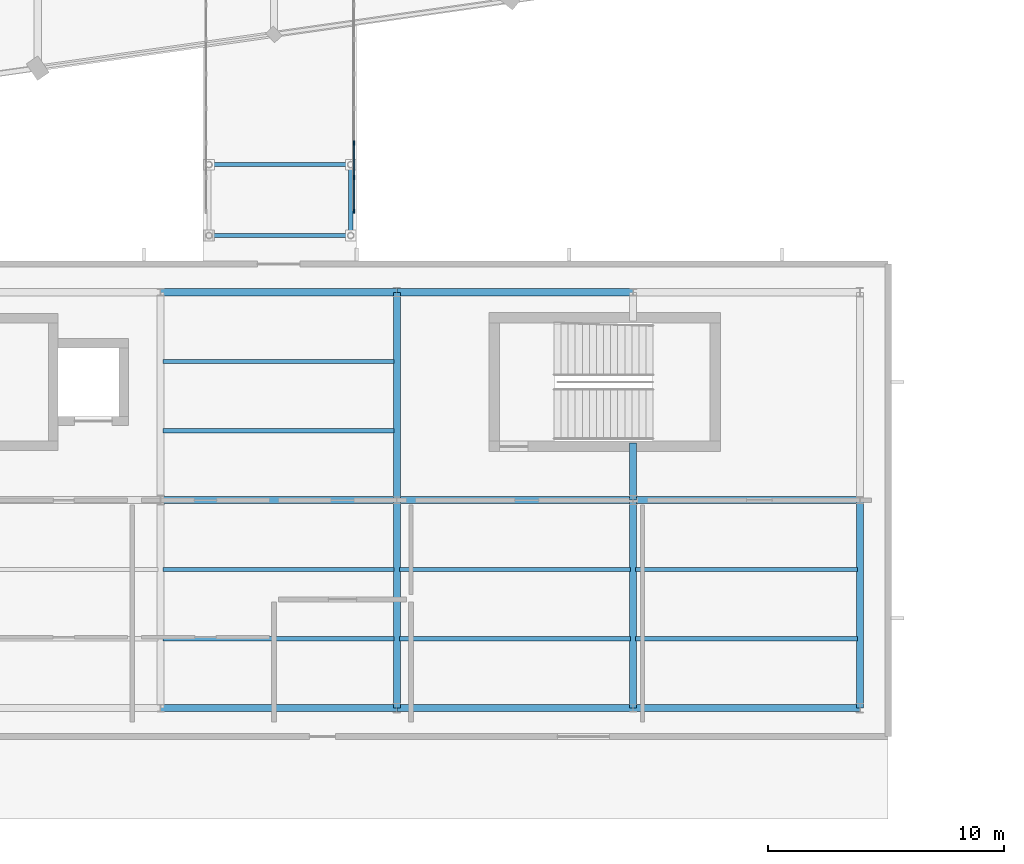
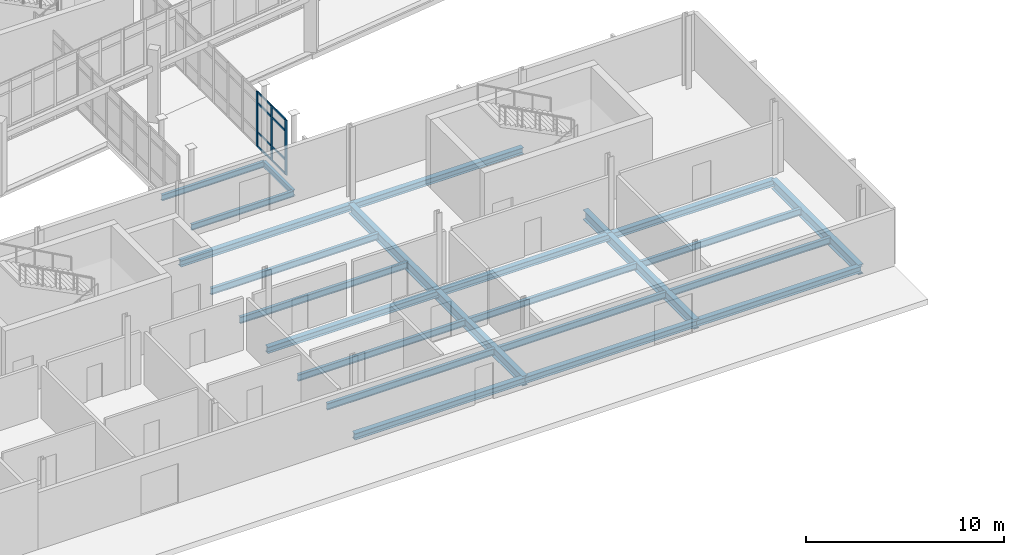
# One storey, part 62 of 122: 24 beams, 11 members, 1 element without a shape of its own.
"""IFC4 building model written with IfcOpenShell, lengths in metres."""

from ifc_helpers import new_model, si_unit, direction, frame, origin, origin_2d, place, context, subcontext, project, spatial, rectangle, i_section, extrude, material, layer, layer_set, material_profile, profile_set, type_object, element, aggregate, save


model = new_model("IFC4")

# Units and contexts
model_context = context("Model", 3, precision=1e-05, world=origin(), true_north=direction((0.0, 1.0)))
body_context = subcontext(model_context, "Body", "Model", "MODEL_VIEW")
ifc_project = project(units=[si_unit("LENGTHUNIT", "METRE"), si_unit("AREAUNIT", "SQUARE_METRE"), si_unit("VOLUMEUNIT", "CUBIC_METRE"), si_unit("PLANEANGLEUNIT", "RADIAN"), si_unit("MASSUNIT", "GRAM", prefix="KILO")], contexts=[model_context])

# Site, building, storey
site_placement = place(None, origin())
site = spatial("IfcSite", under=ifc_project, at=site_placement, CompositionType="ELEMENT")
building_placement = place(site_placement, origin())
building = spatial("IfcBuilding", under=site, at=building_placement, Name="Sohan Crest Arena", CompositionType="ELEMENT")
storey_placement = place(building_placement, origin())
storey = spatial("IfcBuildingStorey", under=building, at=storey_placement, Name="L00", CompositionType="ELEMENT", Elevation=0.0)

# Curtain wall, members
ifc_material_1 = material(Name="Thermally broken anodised aluminium", Category="aluminium")
ifc_layer = layer(ifc_material_1, 0.18994140625, Name="Thermally broken anodised aluminium")
ifc_layer_set = layer_set([ifc_layer], Name="Thermally broken anodised aluminium")
curtain_wall_type = type_object("IfcCurtainWallType", Name="ARC-CW05", PredefinedType="NOTDEFINED", material=ifc_layer_set)
curtain_wall_placement = place(storey_placement, origin())
curtain_wall = element("IfcCurtainWall", 1, at=curtain_wall_placement, inside=storey, type_object=curtain_wall_type, Name="Unitised curtain wall CW-254", PredefinedType="NOTDEFINED")
ifc_material_profile_1 = material_profile(ifc_material_1, rectangle(XDim=0.06494140625, YDim=0.179931640625, at=origin_2d()), Name="ALU-MULL 65x180")
ifc_profile_set_1 = profile_set([ifc_material_profile_1], Name="Thermally broken anodised aluminium")
member_type_1 = type_object("IfcMemberType", Name="ARC-CW-ML02", PredefinedType="MULLION", material=ifc_profile_set_1)
member_1_placement = place(storey_placement, frame((141.3798828125, 28.232421875, 0.0), z_axis=(0.0, 0.0, 1.0), x_axis=(-1.0, 0.0, 0.0)))
member_1 = element("IfcMember", 2, at=member_1_placement, type_object=member_type_1, Name="CW-254 mullion 1", PredefinedType="MULLION", context=body_context, shape_type="SweptSolid", body=[
    extrude(rectangle(XDim=0.06494140625, YDim=0.179931640625, at=origin_2d()), origin(), (0.0, 0.0, 1.0), 3.39990234375),
])
member_2_placement = place(storey_placement, frame((141.3798828125, 29.659912109375, 0.0), z_axis=(0.0, 0.0, 1.0), x_axis=(-1.0, 0.0, 0.0)))
member_2 = element("IfcMember", 3, at=member_2_placement, type_object=member_type_1, Name="CW-254 mullion 2", PredefinedType="MULLION", context=body_context, shape_type="SweptSolid", body=[
    extrude(rectangle(XDim=0.06494140625, YDim=0.179931640625, at=origin_2d()), origin(), (0.0, 0.0, 1.0), 3.39990234375),
])
member_3_placement = place(storey_placement, frame((141.3798828125, 31.1201171875, 0.0), z_axis=(0.0, 0.0, 1.0), x_axis=(-1.0, 0.0, 0.0)))
member_3 = element("IfcMember", 4, at=member_3_placement, type_object=member_type_1, Name="CW-254 mullion 3", PredefinedType="MULLION", context=body_context, shape_type="SweptSolid", body=[
    extrude(rectangle(XDim=0.06494140625, YDim=0.179931640625, at=origin_2d()), origin(), (0.0, 0.0, 1.0), 3.39990234375),
])
ifc_material_profile_2 = material_profile(ifc_material_1, rectangle(XDim=0.06005859375, YDim=0.1201171875, at=origin_2d()), Name="ALU-TRAN 60x120")
ifc_profile_set_2 = profile_set([ifc_material_profile_2], Name="Thermally broken anodised aluminium")
member_type_2 = type_object("IfcMemberType", Name="ARC-CW-TR01", PredefinedType="USERDEFINED", material=ifc_profile_set_2)
member_4_placement = place(storey_placement, frame((141.3798828125, 28.264892578125, 0.030029296875), z_axis=(0.0, 1.0, 0.0), x_axis=(-1.0, 0.0, 0.0)))
member_4 = element("IfcMember", 5, at=member_4_placement, type_object=member_type_2, Name="CW-254 transom 1.1", ObjectType="TRANSOM", PredefinedType="USERDEFINED", context=body_context, shape_type="SweptSolid", body=[
    extrude(rectangle(XDim=0.06005859375, YDim=0.1201171875, at=origin_2d()), origin(), (0.0, 0.0, 1.0), 1.362548828125),
])
member_5_placement = place(storey_placement, frame((141.3798828125, 28.264892578125, 0.89990234375), z_axis=(0.0, 1.0, 0.0), x_axis=(-1.0, 0.0, 0.0)))
member_5 = element("IfcMember", 6, at=member_5_placement, type_object=member_type_2, Name="CW-254 transom 1.2", ObjectType="TRANSOM", PredefinedType="USERDEFINED", context=body_context, shape_type="SweptSolid", body=[
    extrude(rectangle(XDim=0.06005859375, YDim=0.1201171875, at=origin_2d()), origin(), (0.0, 0.0, 1.0), 1.362548828125),
])
member_6_placement = place(storey_placement, frame((141.3798828125, 28.264892578125, 2.699951171875), z_axis=(0.0, 1.0, 0.0), x_axis=(-1.0, 0.0, 0.0)))
member_6 = element("IfcMember", 7, at=member_6_placement, type_object=member_type_2, Name="CW-254 transom 1.3", ObjectType="TRANSOM", PredefinedType="USERDEFINED", context=body_context, shape_type="SweptSolid", body=[
    extrude(rectangle(XDim=0.06005859375, YDim=0.1201171875, at=origin_2d()), origin(), (0.0, 0.0, 1.0), 1.362548828125),
])
member_7_placement = place(storey_placement, frame((141.3798828125, 28.264892578125, 3.3701171875), z_axis=(0.0, 1.0, 0.0), x_axis=(-1.0, 0.0, 0.0)))
member_7 = element("IfcMember", 8, at=member_7_placement, type_object=member_type_2, Name="CW-254 transom 1.4", ObjectType="TRANSOM", PredefinedType="USERDEFINED", context=body_context, shape_type="SweptSolid", body=[
    extrude(rectangle(XDim=0.06005859375, YDim=0.1201171875, at=origin_2d()), origin(), (0.0, 0.0, 1.0), 1.362548828125),
])
member_8_placement = place(storey_placement, frame((141.3798828125, 29.6923828125, 0.030029296875), z_axis=(0.0, 1.0, 0.0), x_axis=(-1.0, 0.0, 0.0)))
member_8 = element("IfcMember", 9, at=member_8_placement, type_object=member_type_2, Name="CW-254 transom 2.1", ObjectType="TRANSOM", PredefinedType="USERDEFINED", context=body_context, shape_type="SweptSolid", body=[
    extrude(rectangle(XDim=0.06005859375, YDim=0.1201171875, at=origin_2d()), origin(), (0.0, 0.0, 1.0), 1.39501953125),
])
member_9_placement = place(storey_placement, frame((141.3798828125, 29.6923828125, 0.89990234375), z_axis=(0.0, 1.0, 0.0), x_axis=(-1.0, 0.0, 0.0)))
member_9 = element("IfcMember", 10, at=member_9_placement, type_object=member_type_2, Name="CW-254 transom 2.2", ObjectType="TRANSOM", PredefinedType="USERDEFINED", context=body_context, shape_type="SweptSolid", body=[
    extrude(rectangle(XDim=0.06005859375, YDim=0.1201171875, at=origin_2d()), origin(), (0.0, 0.0, 1.0), 1.39501953125),
])
member_10_placement = place(storey_placement, frame((141.3798828125, 29.6923828125, 2.699951171875), z_axis=(0.0, 1.0, 0.0), x_axis=(-1.0, 0.0, 0.0)))
member_10 = element("IfcMember", 11, at=member_10_placement, type_object=member_type_2, Name="CW-254 transom 2.3", ObjectType="TRANSOM", PredefinedType="USERDEFINED", context=body_context, shape_type="SweptSolid", body=[
    extrude(rectangle(XDim=0.06005859375, YDim=0.1201171875, at=origin_2d()), origin(), (0.0, 0.0, 1.0), 1.39501953125),
])
member_11_placement = place(storey_placement, frame((141.3798828125, 29.6923828125, 3.3701171875), z_axis=(0.0, 1.0, 0.0), x_axis=(-1.0, 0.0, 0.0)))
member_11 = element("IfcMember", 12, at=member_11_placement, type_object=member_type_2, Name="CW-254 transom 2.4", ObjectType="TRANSOM", PredefinedType="USERDEFINED", context=body_context, shape_type="SweptSolid", body=[
    extrude(rectangle(XDim=0.06005859375, YDim=0.1201171875, at=origin_2d()), origin(), (0.0, 0.0, 1.0), 1.39501953125),
])
aggregate(curtain_wall, [member_1, member_2, member_3, member_4, member_5, member_6, member_7, member_8, member_9, member_10, member_11])

# Beams
ifc_material_2 = material(Name="Steel S355", Category="steel")
ifc_material_profile_3 = material_profile(ifc_material_2, i_section(OverallWidth=0.169921875, OverallDepth=0.360107421875, WebThickness=0.008056640625, FlangeThickness=0.0126953125, at=origin_2d()), Name="IPE 360")
ifc_profile_set_3 = profile_set([ifc_material_profile_3], Name="Steel S355")
beam_type_1 = type_object("IfcBeamType", Name="STR-BM-B02", PredefinedType="JOIST", material=ifc_profile_set_3)
beam_1_placement = place(storey_placement, frame((141.25, 27.199951171875, -0.455078125), z_axis=(0.0, 1.0, 0.0), x_axis=(-1.0, 0.0, 0.0)))
element("IfcBeam", 13, at=beam_1_placement, inside=storey, type_object=beam_type_1, Name="Structural beam BG-L00-3001", PredefinedType="JOIST", context=body_context, shape_type="SweptSolid", body=[
    extrude(i_section(OverallWidth=0.169921875, OverallDepth=0.360107421875, WebThickness=0.008056640625, FlangeThickness=0.0126953125, at=origin_2d()), origin(), (0.0, 0.0, 1.0), 3.0),
])
for number, where, z_axis, x_axis, name in (
    (14, (135.25, 27.199951171875, -0.455078125), (1.0, 0.0, 0.0), (0.0, 1.0, 0.0), "Structural beam BG-L00-3002"),
    (15, (135.25, 30.199951171875, -0.455078125), (1.0, 0.0, 0.0), (0.0, 1.0, 0.0), "Structural beam BG-L00-3003"),
):
    element("IfcBeam", number, at=place(storey_placement, frame(where, z_axis=z_axis, x_axis=x_axis)), inside=storey, type_object=beam_type_1, Name=name, PredefinedType="JOIST", context=body_context, shape_type="SweptSolid", body=[
        extrude(i_section(OverallWidth=0.169921875, OverallDepth=0.360107421875, WebThickness=0.008056640625, FlangeThickness=0.0126953125, at=origin_2d()), origin(), (0.0, 0.0, 1.0), 6.0),
    ])
ifc_material_profile_4 = material_profile(ifc_material_2, i_section(OverallWidth=0.179931640625, OverallDepth=0.39990234375, WebThickness=0.008544921875, FlangeThickness=0.013427734375, at=origin_2d()), Name="IPE 400")
ifc_profile_set_4 = profile_set([ifc_material_profile_4], Name="Steel S355")
beam_type_2 = type_object("IfcBeamType", Name="STR-BM-B03", PredefinedType="JOIST", material=ifc_profile_set_4)
for number, where, z_axis, x_axis, name in (
    (16, (133.31005859375, 10.133056640625, -0.5), (1.0, 0.0, 0.0), (0.0, 1.0, 0.0), "Structural beam J-L00-2545"),
    (17, (133.31005859375, 13.06689453125, -0.5), (1.0, 0.0, 0.0), (0.0, 1.0, 0.0), "Structural beam J-L00-2546"),
    (18, (143.31005859375, 10.133056640625, -0.5), (1.0, 0.0, 0.0), (0.0, 1.0, 0.0), "Structural beam J-L00-2548"),
    (19, (143.31005859375, 13.06689453125, -0.5), (1.0, 0.0, 0.0), (0.0, 1.0, 0.0), "Structural beam J-L00-2549"),
):
    element("IfcBeam", number, at=place(storey_placement, frame(where, z_axis=z_axis, x_axis=x_axis)), inside=storey, type_object=beam_type_2, Name=name, PredefinedType="JOIST", context=body_context, shape_type="SweptSolid", body=[
        extrude(i_section(OverallWidth=0.179931640625, OverallDepth=0.39990234375, WebThickness=0.008544921875, FlangeThickness=0.013427734375, at=origin_2d()), origin(), (0.0, 0.0, 1.0), 9.780029296875),
    ])
for number, where, z_axis, x_axis, name in (
    (20, (153.31005859375, 10.133056640625, -0.5), (1.0, 0.0, 0.0), (0.0, 1.0, 0.0), "Structural beam J-L00-2551"),
    (21, (153.31005859375, 13.06689453125, -0.5), (1.0, 0.0, 0.0), (0.0, 1.0, 0.0), "Structural beam J-L00-2552"),
):
    element("IfcBeam", number, at=place(storey_placement, frame(where, z_axis=z_axis, x_axis=x_axis)), inside=storey, type_object=beam_type_2, Name=name, PredefinedType="JOIST", context=body_context, shape_type="SweptSolid", body=[
        extrude(i_section(OverallWidth=0.179931640625, OverallDepth=0.39990234375, WebThickness=0.008544921875, FlangeThickness=0.013427734375, at=origin_2d()), origin(), (0.0, 0.0, 1.0), 9.3798828125),
    ])
for number, where, z_axis, x_axis, name in (
    (22, (133.31005859375, 18.93310546875, -0.5), (1.0, 0.0, 0.0), (0.0, 1.0, 0.0), "Structural beam J-L00-2560"),
    (23, (133.31005859375, 21.866943359375, -0.5), (1.0, 0.0, 0.0), (0.0, 1.0, 0.0), "Structural beam J-L00-2561"),
):
    element("IfcBeam", number, at=place(storey_placement, frame(where, z_axis=z_axis, x_axis=x_axis)), inside=storey, type_object=beam_type_2, Name=name, PredefinedType="JOIST", context=body_context, shape_type="SweptSolid", body=[
        extrude(i_section(OverallWidth=0.179931640625, OverallDepth=0.39990234375, WebThickness=0.008544921875, FlangeThickness=0.013427734375, at=origin_2d()), origin(), (0.0, 0.0, 1.0), 9.780029296875),
    ])
ifc_material_profile_5 = material_profile(ifc_material_2, i_section(OverallWidth=0.300048828125, OverallDepth=0.389892578125, WebThickness=0.010986328125, FlangeThickness=0.01904296875, at=origin_2d()), Name="HEA 400")
ifc_profile_set_5 = profile_set([ifc_material_profile_5], Name="Steel S355")
beam_type_3 = type_object("IfcBeamType", Name="STR-BM-B09", PredefinedType="BEAM", material=ifc_profile_set_5)
for number, where, z_axis, x_axis, name in (
    (24, (133.199951171875, 7.199951171875, -0.4951171875), (1.0, 0.0, 0.0), (0.0, 1.0, 0.0), "Structural beam G-L00-2544"),
    (25, (143.199951171875, 7.199951171875, -0.4951171875), (1.0, 0.0, 0.0), (0.0, 1.0, 0.0), "Structural beam G-L00-2547"),
):
    element("IfcBeam", number, at=place(storey_placement, frame(where, z_axis=z_axis, x_axis=x_axis)), inside=storey, type_object=beam_type_3, Name=name, PredefinedType="BEAM", context=body_context, shape_type="SweptSolid", body=[
        extrude(i_section(OverallWidth=0.300048828125, OverallDepth=0.389892578125, WebThickness=0.010986328125, FlangeThickness=0.01904296875, at=origin_2d()), origin(), (0.0, 0.0, 1.0), 10.0),
    ])
beam_2_placement = place(storey_placement, frame((153.199951171875, 7.199951171875, -0.4951171875), z_axis=(1.0, 0.0, 0.0), x_axis=(0.0, 1.0, 0.0)))
element("IfcBeam", 26, at=beam_2_placement, inside=storey, type_object=beam_type_3, Name="Structural beam G-L00-2550", PredefinedType="BEAM", context=body_context, shape_type="SweptSolid", body=[
    extrude(i_section(OverallWidth=0.300048828125, OverallDepth=0.389892578125, WebThickness=0.010986328125, FlangeThickness=0.01904296875, at=origin_2d()), origin(), (0.0, 0.0, 1.0), 9.60009765625),
])
for number, where, z_axis, x_axis, name in (
    (27, (133.199951171875, 16.0, -0.4951171875), (1.0, 0.0, 0.0), (0.0, 1.0, 0.0), "Structural beam G-L00-2559"),
    (28, (143.199951171875, 16.0, -0.4951171875), (1.0, 0.0, 0.0), (0.0, 1.0, 0.0), "Structural beam G-L00-2562"),
):
    element("IfcBeam", number, at=place(storey_placement, frame(where, z_axis=z_axis, x_axis=x_axis)), inside=storey, type_object=beam_type_3, Name=name, PredefinedType="BEAM", context=body_context, shape_type="SweptSolid", body=[
        extrude(i_section(OverallWidth=0.300048828125, OverallDepth=0.389892578125, WebThickness=0.010986328125, FlangeThickness=0.01904296875, at=origin_2d()), origin(), (0.0, 0.0, 1.0), 10.0),
    ])
beam_3_placement = place(storey_placement, frame((153.199951171875, 16.0, -0.4951171875), z_axis=(1.0, 0.0, 0.0), x_axis=(0.0, 1.0, 0.0)))
element("IfcBeam", 29, at=beam_3_placement, inside=storey, type_object=beam_type_3, Name="Structural beam G-L00-2563", PredefinedType="BEAM", context=body_context, shape_type="SweptSolid", body=[
    extrude(i_section(OverallWidth=0.300048828125, OverallDepth=0.389892578125, WebThickness=0.010986328125, FlangeThickness=0.01904296875, at=origin_2d()), origin(), (0.0, 0.0, 1.0), 9.60009765625),
])
for number, where, z_axis, x_axis, name in (
    (30, (133.199951171875, 24.800048828125, -0.4951171875), (1.0, 0.0, 0.0), (0.0, 1.0, 0.0), "Structural beam G-L00-2570"),
    (31, (143.199951171875, 24.800048828125, -0.4951171875), (1.0, 0.0, 0.0), (0.0, 1.0, 0.0), "Structural beam G-L00-2571"),
):
    element("IfcBeam", number, at=place(storey_placement, frame(where, z_axis=z_axis, x_axis=x_axis)), inside=storey, type_object=beam_type_3, Name=name, PredefinedType="BEAM", context=body_context, shape_type="SweptSolid", body=[
        extrude(i_section(OverallWidth=0.300048828125, OverallDepth=0.389892578125, WebThickness=0.010986328125, FlangeThickness=0.01904296875, at=origin_2d()), origin(), (0.0, 0.0, 1.0), 10.0),
    ])
ifc_material_profile_6 = material_profile(ifc_material_2, i_section(OverallWidth=0.300048828125, OverallDepth=0.60009765625, WebThickness=0.015380859375, FlangeThickness=0.030029296875, at=origin_2d()), Name="HEB 600")
ifc_profile_set_6 = profile_set([ifc_material_profile_6], Name="Steel S355")
beam_type_4 = type_object("IfcBeamType", Name="STR-BM-B15", PredefinedType="BEAM", material=ifc_profile_set_6)
for number, where, z_axis, x_axis, name in (
    (32, (143.199951171875, 7.199951171875, -0.60009765625), (0.0, 1.0, 0.0), (-1.0, 0.0, 0.0), "Structural beam G-L00-2519"),
    (33, (143.199951171875, 16.0, -0.60009765625), (0.0, 1.0, 0.0), (-1.0, 0.0, 0.0), "Structural beam G-L00-2520"),
    (34, (153.199951171875, 7.199951171875, -0.60009765625), (0.0, 1.0, 0.0), (-1.0, 0.0, 0.0), "Structural beam G-L00-2521"),
):
    element("IfcBeam", number, at=place(storey_placement, frame(where, z_axis=z_axis, x_axis=x_axis)), inside=storey, type_object=beam_type_4, Name=name, PredefinedType="BEAM", context=body_context, shape_type="SweptSolid", body=[
        extrude(i_section(OverallWidth=0.300048828125, OverallDepth=0.60009765625, WebThickness=0.015380859375, FlangeThickness=0.030029296875, at=origin_2d()), origin(), (0.0, 0.0, 1.0), 8.800048828125),
    ])
beam_4_placement = place(storey_placement, frame((153.199951171875, 16.0, -0.60009765625), z_axis=(0.0, 1.0, 0.0), x_axis=(-1.0, 0.0, 0.0)))
element("IfcBeam", 35, at=beam_4_placement, inside=storey, type_object=beam_type_4, Name="Structural beam G-L00-2522", PredefinedType="BEAM", context=body_context, shape_type="SweptSolid", body=[
    extrude(i_section(OverallWidth=0.300048828125, OverallDepth=0.60009765625, WebThickness=0.015380859375, FlangeThickness=0.030029296875, at=origin_2d()), origin(), (0.0, 0.0, 1.0), 2.419921875),
])
beam_5_placement = place(storey_placement, frame((162.800048828125, 7.199951171875, -0.60009765625), z_axis=(0.0, 1.0, 0.0), x_axis=(-1.0, 0.0, 0.0)))
element("IfcBeam", 36, at=beam_5_placement, inside=storey, type_object=beam_type_4, Name="Structural beam G-L00-2524", PredefinedType="BEAM", context=body_context, shape_type="SweptSolid", body=[
    extrude(i_section(OverallWidth=0.300048828125, OverallDepth=0.60009765625, WebThickness=0.015380859375, FlangeThickness=0.030029296875, at=origin_2d()), origin(), (0.0, 0.0, 1.0), 8.800048828125),
])

save(model, "model.ifc")
